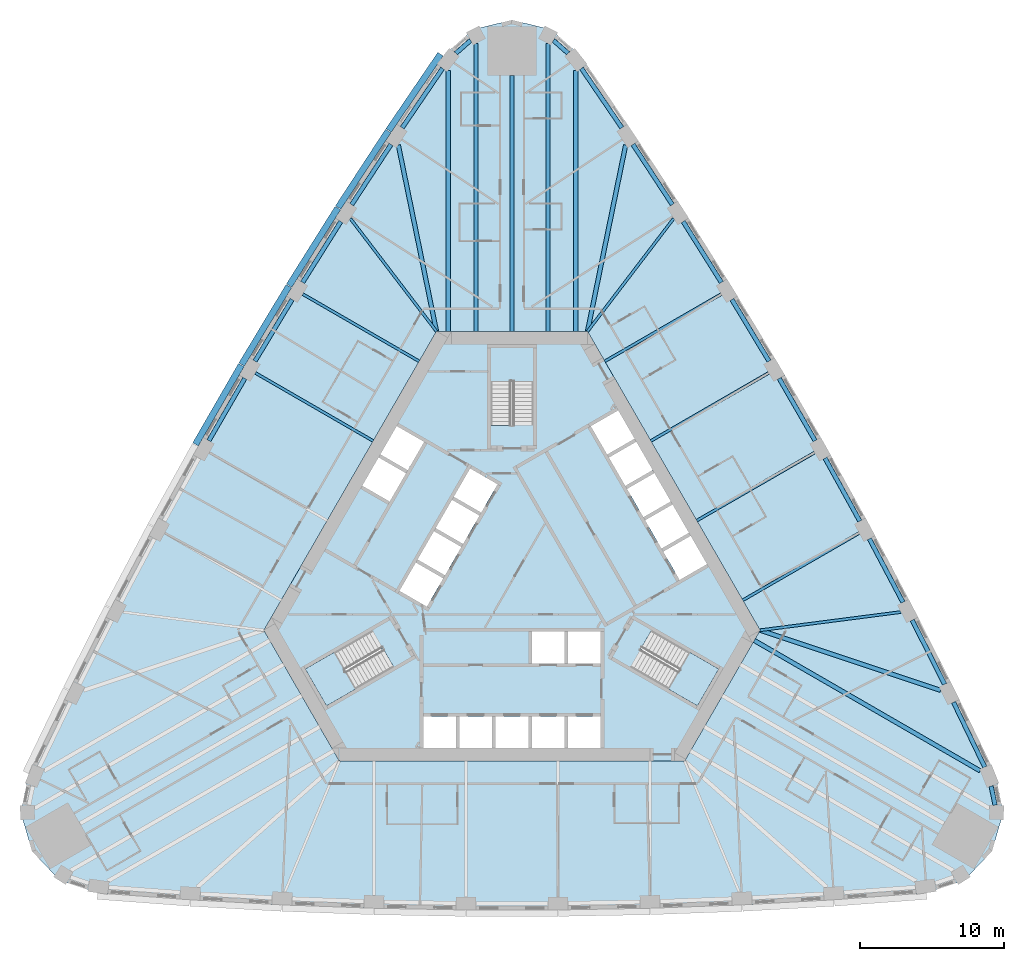
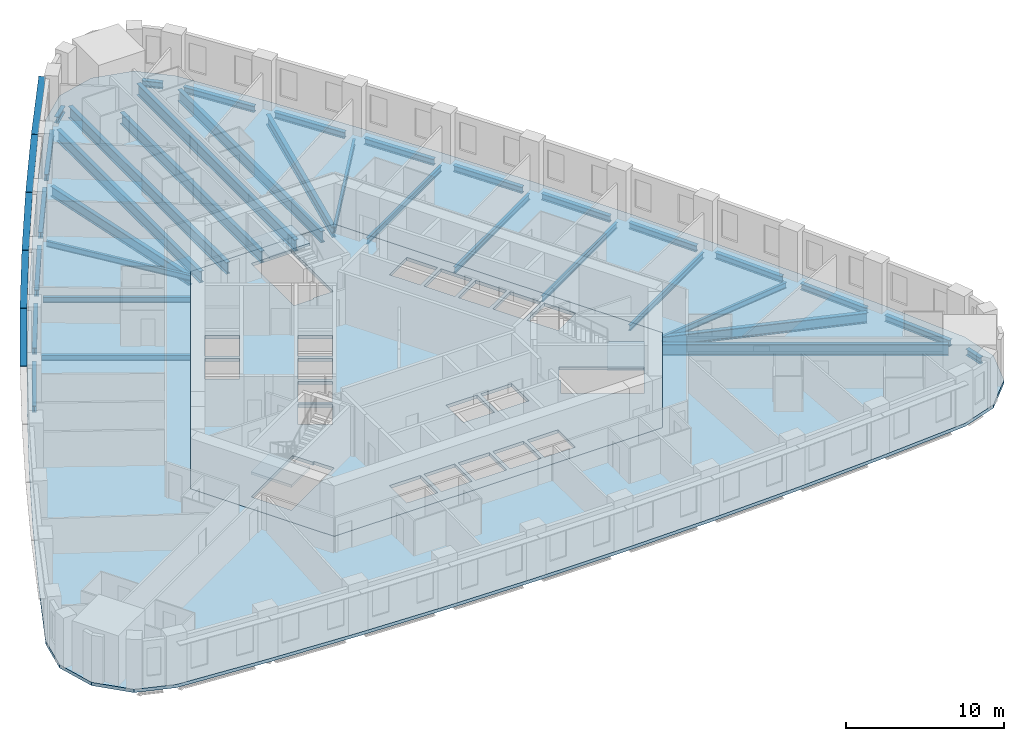
# One storey, part 2 of 13: 35 beams, 5 members, 5 slabs, 3 elements without a shape of their own.
"""IFC4 building model written with IfcOpenShell, lengths in metres."""

from ifc_helpers import new_model, si_unit, direction, frame, origin, origin_2d, place, context, subcontext, project, spatial, polyline, rectangle, i_section, outline, extrude, material, layer, layer_set, material_profile, profile_set, type_object, element, aggregate, save


model = new_model("IFC4")

# Units and contexts
model_context = context("Model", 3, precision=1e-05, world=origin(), true_north=direction((0.0, 1.0)))
body_context = subcontext(model_context, "Body", "Model", "MODEL_VIEW")
ifc_project = project(units=[si_unit("LENGTHUNIT", "METRE"), si_unit("AREAUNIT", "SQUARE_METRE"), si_unit("VOLUMEUNIT", "CUBIC_METRE"), si_unit("PLANEANGLEUNIT", "RADIAN"), si_unit("MASSUNIT", "GRAM", prefix="KILO")], contexts=[model_context])

# Site, building, storey
site_placement = place(None, origin())
site = spatial("IfcSite", under=ifc_project, at=site_placement, CompositionType="ELEMENT")
building_placement = place(site_placement, origin())
building = spatial("IfcBuilding", under=site, at=building_placement, Name="Mestral Congress Tower", CompositionType="ELEMENT")
storey_placement = place(building_placement, frame((0.0, 0.0, 62.699951171875)))
storey = spatial("IfcBuildingStorey", under=building, at=storey_placement, Name="L14", CompositionType="ELEMENT", Elevation=62.699951171875)

# Members
ifc_material_1 = material(Name="Glazed ceramic", Category="masonry")
ifc_material_profile_1 = material_profile(ifc_material_1, rectangle(XDim=0.449951171875, YDim=0.06005859375, at=origin_2d()), Name="Ceramic blade 450 x 60")
ifc_profile_set_1 = profile_set([ifc_material_profile_1], Name="Glazed ceramic")
member_type = type_object("IfcMemberType", Name="Facade sunshade blade 450 x 60", PredefinedType="USERDEFINED", material=ifc_profile_set_1)
member_1_placement = place(storey_placement, frame((-4.973388671875, 36.188232421875, 3.280029296875), z_axis=(-0.562633427576, -0.826706493367, 0.0), x_axis=(0.826706493367, -0.562633427576, 0.0)))
element("IfcMember", 1, at=member_1_placement, inside=storey, type_object=member_type, Name="Sunshade F2-00", ObjectType="SUNSHADE", PredefinedType="USERDEFINED", context=body_context, shape_type="SweptSolid", body=[
    extrude(rectangle(XDim=0.449951171875, YDim=0.06005859375, at=origin_2d()), origin(), (0.0, 0.0, 1.0), 6.4208984375),
])
member_2_placement = place(storey_placement, frame((-8.6103515625, 30.843505859375, 3.280029296875), z_axis=(-0.547211145376, -0.836994601163, 0.0), x_axis=(0.836994601163, -0.547211145376, 0.0)))
element("IfcMember", 2, at=member_2_placement, inside=storey, type_object=member_type, Name="Sunshade F2-01", ObjectType="SUNSHADE", PredefinedType="USERDEFINED", context=body_context, shape_type="SweptSolid", body=[
    extrude(rectangle(XDim=0.449951171875, YDim=0.06005859375, at=origin_2d()), origin(), (0.0, 0.0, 1.0), 6.368408203125),
])
for number, where, z_axis, x_axis, name in (
    (3, (-12.119140625, 25.47607421875, 3.280029296875), (-0.531665815747, -0.846954225662, 0.0), (0.846954225662, -0.531665815747, 0.0), "Sunshade F2-02"),
    (4, (-15.528076171875, 20.044921875, 3.280029296875), (-0.515904518528, -0.856646092481, 0.0), (0.856646092481, -0.515904518528, 0.0), "Sunshade F2-03"),
):
    element("IfcMember", number, at=place(storey_placement, frame(where, z_axis=z_axis, x_axis=x_axis)), inside=storey, type_object=member_type, Name=name, ObjectType="SUNSHADE", PredefinedType="USERDEFINED", context=body_context, shape_type="SweptSolid", body=[
        extrude(rectangle(XDim=0.449951171875, YDim=0.06005859375, at=origin_2d()), origin(), (0.0, 0.0, 1.0), 6.3681640625),
    ])
member_3_placement = place(storey_placement, frame((-18.8359375, 14.5517578125, 3.280029296875), z_axis=(-0.499990149842, -0.866031090701, 0.0), x_axis=(0.866031090701, -0.499990149842, 0.0)))
element("IfcMember", 5, at=member_3_placement, inside=storey, type_object=member_type, Name="Sunshade F2-04", ObjectType="SUNSHADE", PredefinedType="USERDEFINED", context=body_context, shape_type="SweptSolid", body=[
    extrude(rectangle(XDim=0.449951171875, YDim=0.06005859375, at=origin_2d()), origin(), (0.0, 0.0, 1.0), 6.368408203125),
])

# Beams
ifc_material_2 = material(Name="Steel S355", Category="steel")
ifc_material_profile_2 = material_profile(ifc_material_2, i_section(OverallWidth=0.300048828125, OverallDepth=0.800048828125, WebThickness=0.017578125, FlangeThickness=0.032958984375, FilletRadius=0.030029296875, at=origin_2d()), Name="HEB 800")
ifc_profile_set_2 = profile_set([ifc_material_profile_2], Name="Steel S355")
beam_type_1 = type_object("IfcBeamType", Name="Floor beam HEB 800 S355", PredefinedType="BEAM", material=ifc_profile_set_2)
for number, where, z_axis, x_axis, name in (
    (6, (29.8203125, -8.08349609375, -0.64990234375), (-0.948734931285, 0.316072824141, 0.0), (-0.316072824141, -0.948734931285, 0.0), "BM-L14-RB1-E01"),
    (7, (7.90966796875, 29.86669921875, -0.64990234375), (-0.200647311614, -0.979663542418, 0.0), (0.979663542418, -0.200647311614, 0.0), "BM-L14-RB1-E08"),
    (8, (-7.90966796875, 29.86669921875, -0.64990234375), (0.200647311614, -0.979663542418, 0.0), (0.979663542418, 0.200647311614, 0.0), "BM-L14-RB1-W01"),
):
    element("IfcBeam", number, at=place(storey_placement, frame(where, z_axis=z_axis, x_axis=x_axis)), inside=storey, type_object=beam_type_1, Name=name, PredefinedType="BEAM", context=body_context, shape_type="SweptSolid", body=[
        extrude(i_section(OverallWidth=0.300048828125, OverallDepth=0.800048828125, WebThickness=0.017578125, FlangeThickness=0.032958984375, FilletRadius=0.030029296875, at=origin_2d()), origin(), (0.0, 0.0, 1.0), 13.236083984375),
    ])
ifc_material_profile_3 = material_profile(ifc_material_2, i_section(OverallWidth=0.300048828125, OverallDepth=0.89990234375, WebThickness=0.0185546875, FlangeThickness=0.034912109375, FilletRadius=0.030029296875, at=origin_2d()), Name="HEB 900")
ifc_profile_set_3 = profile_set([ifc_material_profile_3], Name="Steel S355")
beam_type_2 = type_object("IfcBeamType", Name="Floor beam HEB 900 S355", PredefinedType="BEAM", material=ifc_profile_set_3)
beam_1_placement = place(storey_placement, frame((32.574462890625, -13.6845703125, -0.699951171875), z_axis=(-0.866029704776, 0.49999255039, 0.0), x_axis=(-0.49999255039, -0.866029704776, 0.0)))
element("IfcBeam", 9, at=beam_1_placement, inside=storey, type_object=beam_type_2, Name="BM-L14-RB1-E00", PredefinedType="BEAM", context=body_context, shape_type="SweptSolid", body=[
    extrude(i_section(OverallWidth=0.300048828125, OverallDepth=0.89990234375, WebThickness=0.0185546875, FlangeThickness=0.034912109375, FilletRadius=0.030029296875, at=origin_2d()), origin(), (0.0, 0.0, 1.0), 18.152587890625),
])
beam_2_placement = place(storey_placement, frame((4.43603515625, 35.052734375, -0.699951171875), z_axis=(0.0, -1.0, 0.0), x_axis=(1.0, 0.0, 0.0)))
element("IfcBeam", 10, at=beam_2_placement, inside=storey, type_object=beam_type_2, Name="BM-L14-RB1-E09", PredefinedType="BEAM", context=body_context, shape_type="SweptSolid", body=[
    extrude(i_section(OverallWidth=0.300048828125, OverallDepth=0.89990234375, WebThickness=0.0185546875, FlangeThickness=0.034912109375, FilletRadius=0.030029296875, at=origin_2d()), origin(), (0.0, 0.0, 1.0), 18.15283203125),
])
beam_3_placement = place(storey_placement, frame((2.503173828125, 36.91943359375, -0.699951171875), z_axis=(0.0, -1.0, 0.0), x_axis=(1.0, 0.0, 0.0)))
element("IfcBeam", 11, at=beam_3_placement, inside=storey, type_object=beam_type_2, Name="BM-L14-RB1-N1", PredefinedType="BEAM", context=body_context, shape_type="SweptSolid", body=[
    extrude(i_section(OverallWidth=0.300048828125, OverallDepth=0.89990234375, WebThickness=0.0185546875, FlangeThickness=0.034912109375, FilletRadius=0.030029296875, at=origin_2d()), origin(), (0.0, 0.0, 1.0), 20.01953125),
])
beam_4_placement = place(storey_placement, frame((0.0, 34.698974609375, -0.699951171875), z_axis=(0.0, -1.0, 0.0), x_axis=(1.0, 0.0, 0.0)))
element("IfcBeam", 12, at=beam_4_placement, inside=storey, type_object=beam_type_2, Name="BM-L14-RB1-N", PredefinedType="BEAM", context=body_context, shape_type="SweptSolid", body=[
    extrude(i_section(OverallWidth=0.300048828125, OverallDepth=0.89990234375, WebThickness=0.0185546875, FlangeThickness=0.034912109375, FilletRadius=0.030029296875, at=origin_2d()), origin(), (0.0, 0.0, 1.0), 17.799072265625),
])
beam_5_placement = place(storey_placement, frame((-2.503173828125, 36.91943359375, -0.699951171875), z_axis=(0.0, -1.0, 0.0), x_axis=(1.0, 0.0, 0.0)))
element("IfcBeam", 13, at=beam_5_placement, inside=storey, type_object=beam_type_2, Name="BM-L14-RB1-N3", PredefinedType="BEAM", context=body_context, shape_type="SweptSolid", body=[
    extrude(i_section(OverallWidth=0.300048828125, OverallDepth=0.89990234375, WebThickness=0.0185546875, FlangeThickness=0.034912109375, FilletRadius=0.030029296875, at=origin_2d()), origin(), (0.0, 0.0, 1.0), 20.01953125),
])
beam_6_placement = place(storey_placement, frame((-4.43603515625, 35.052734375, -0.699951171875), z_axis=(0.0, -1.0, 0.0), x_axis=(1.0, 0.0, 0.0)))
element("IfcBeam", 14, at=beam_6_placement, inside=storey, type_object=beam_type_2, Name="BM-L14-RB1-W00", PredefinedType="BEAM", context=body_context, shape_type="SweptSolid", body=[
    extrude(i_section(OverallWidth=0.300048828125, OverallDepth=0.89990234375, WebThickness=0.0185546875, FlangeThickness=0.034912109375, FilletRadius=0.030029296875, at=origin_2d()), origin(), (0.0, 0.0, 1.0), 18.15283203125),
])
ifc_material_profile_4 = material_profile(ifc_material_2, i_section(OverallWidth=0.18994140625, OverallDepth=0.449951171875, WebThickness=0.009521484375, FlangeThickness=0.0146484375, FilletRadius=0.02099609375, at=origin_2d()), Name="IPE 450")
ifc_profile_set_4 = profile_set([ifc_material_profile_4], Name="Steel S355")
beam_type_3 = type_object("IfcBeamType", Name="Floor beam IPE 450 S355", PredefinedType="BEAM", material=ifc_profile_set_4)
beam_7_placement = place(storey_placement, frame((27.058349609375, -2.6337890625, -0.474853515625), z_axis=(-0.99175011495, -0.128186229747, 0.0), x_axis=(0.128186229747, -0.99175011495, 0.0)))
element("IfcBeam", 15, at=beam_7_placement, inside=storey, type_object=beam_type_3, Name="BM-L14-RB1-E02", PredefinedType="BEAM", context=body_context, shape_type="SweptSolid", body=[
    extrude(i_section(OverallWidth=0.18994140625, OverallDepth=0.449951171875, WebThickness=0.009521484375, FlangeThickness=0.0146484375, FilletRadius=0.02099609375, at=origin_2d()), origin(), (0.0, 0.0, 1.0), 9.877197265625),
])
beam_8_placement = place(storey_placement, frame((24.150634765625, 2.859619140625, -0.474853515625), z_axis=(-0.866032011123, -0.499988555579, 0.0), x_axis=(0.499988555579, -0.866032011123, 0.0)))
element("IfcBeam", 16, at=beam_8_placement, inside=storey, type_object=beam_type_3, Name="BM-L14-RB1-E03", PredefinedType="BEAM", context=body_context, shape_type="SweptSolid", body=[
    extrude(i_section(OverallWidth=0.18994140625, OverallDepth=0.449951171875, WebThickness=0.009521484375, FlangeThickness=0.0146484375, FilletRadius=0.02099609375, at=origin_2d()), origin(), (0.0, 0.0, 1.0), 9.344970703125),
])
for number, where, z_axis, x_axis, name in (
    (17, (21.0537109375, 8.46044921875, -0.474853515625), (-0.866019749231, -0.500009793847, 0.0), (0.500009793847, -0.866019749231, 0.0), "BM-L14-RB1-E04"),
    (18, (17.853759765625, 14.0029296875, -0.474853515625), (-0.866019749231, -0.500009793847, 0.0), (0.500009793847, -0.866019749231, 0.0), "BM-L14-RB1-E05"),
):
    element("IfcBeam", number, at=place(storey_placement, frame(where, z_axis=z_axis, x_axis=x_axis)), inside=storey, type_object=beam_type_3, Name=name, PredefinedType="BEAM", context=body_context, shape_type="SweptSolid", body=[
        extrude(i_section(OverallWidth=0.18994140625, OverallDepth=0.449951171875, WebThickness=0.009521484375, FlangeThickness=0.0146484375, FilletRadius=0.02099609375, at=origin_2d()), origin(), (0.0, 0.0, 1.0), 9.463134765625),
    ])
beam_9_placement = place(storey_placement, frame((14.5517578125, 19.485107421875, -0.474853515625), z_axis=(-0.866025479842, -0.499999868264, 0.0), x_axis=(0.499999868264, -0.866025479842, 0.0)))
element("IfcBeam", 19, at=beam_9_placement, inside=storey, type_object=beam_type_3, Name="BM-L14-RB1-E06", PredefinedType="BEAM", context=body_context, shape_type="SweptSolid", body=[
    extrude(i_section(OverallWidth=0.18994140625, OverallDepth=0.449951171875, WebThickness=0.009521484375, FlangeThickness=0.0146484375, FilletRadius=0.02099609375, at=origin_2d()), origin(), (0.0, 0.0, 1.0), 9.3447265625),
])
for number, where, z_axis, x_axis, name in (
    (20, (11.248291015625, 24.75, -0.474853515625), (-0.606898557801, -0.794779303039, 0.0), (0.794779303039, -0.606898557801, 0.0), "BM-L14-RB1-E07"),
    (21, (-11.248291015625, 24.75, -0.474853515625), (0.606898557801, -0.794779303039, 0.0), (0.794779303039, 0.606898557801, 0.0), "BM-L14-RB1-W02"),
):
    element("IfcBeam", number, at=place(storey_placement, frame(where, z_axis=z_axis, x_axis=x_axis)), inside=storey, type_object=beam_type_3, Name=name, PredefinedType="BEAM", context=body_context, shape_type="SweptSolid", body=[
        extrude(i_section(OverallWidth=0.18994140625, OverallDepth=0.449951171875, WebThickness=0.009521484375, FlangeThickness=0.0146484375, FilletRadius=0.02099609375, at=origin_2d()), origin(), (0.0, 0.0, 1.0), 9.877197265625),
    ])
beam_10_placement = place(storey_placement, frame((-14.5517578125, 19.485107421875, -0.474853515625), z_axis=(0.866025479842, -0.499999868264, 0.0), x_axis=(0.499999868264, 0.866025479842, 0.0)))
element("IfcBeam", 22, at=beam_10_placement, inside=storey, type_object=beam_type_3, Name="BM-L14-RB1-W03", PredefinedType="BEAM", context=body_context, shape_type="SweptSolid", body=[
    extrude(i_section(OverallWidth=0.18994140625, OverallDepth=0.449951171875, WebThickness=0.009521484375, FlangeThickness=0.0146484375, FilletRadius=0.02099609375, at=origin_2d()), origin(), (0.0, 0.0, 1.0), 9.3447265625),
])
beam_11_placement = place(storey_placement, frame((-17.853759765625, 14.0029296875, -0.474853515625), z_axis=(0.866019749231, -0.500009793847, 0.0), x_axis=(0.500009793847, 0.866019749231, 0.0)))
element("IfcBeam", 23, at=beam_11_placement, inside=storey, type_object=beam_type_3, Name="BM-L14-RB1-W04", PredefinedType="BEAM", context=body_context, shape_type="SweptSolid", body=[
    extrude(i_section(OverallWidth=0.18994140625, OverallDepth=0.449951171875, WebThickness=0.009521484375, FlangeThickness=0.0146484375, FilletRadius=0.02099609375, at=origin_2d()), origin(), (0.0, 0.0, 1.0), 9.463134765625),
])
ifc_material_profile_5 = material_profile(ifc_material_2, i_section(OverallWidth=0.300048828125, OverallDepth=0.489990234375, WebThickness=0.011962890625, FlangeThickness=0.02294921875, FilletRadius=0.027099609375, at=origin_2d()), Name="HEA 500")
ifc_profile_set_5 = profile_set([ifc_material_profile_5], Name="Steel S355")
beam_type_4 = type_object("IfcBeamType", Name="Spandrel beam HEA 500 S355", PredefinedType="BEAM", material=ifc_profile_set_5)
beam_12_placement = place(storey_placement, frame((33.611328125, -16.0693359375, -0.494873046875), z_axis=(-0.197991750859, 0.980203686277, 0.0), x_axis=(-0.980203686277, -0.197991750859, 0.0)))
element("IfcBeam", 24, at=beam_12_placement, inside=storey, type_object=beam_type_4, Name="SP-L14-SB1-SE3", PredefinedType="BEAM", context=body_context, shape_type="SweptSolid", body=[
    extrude(i_section(OverallWidth=0.300048828125, OverallDepth=0.489990234375, WebThickness=0.011962890625, FlangeThickness=0.02294921875, FilletRadius=0.027099609375, at=origin_2d()), origin(), (0.0, 0.0, 1.0), 1.3515625),
])
beam_13_placement = place(storey_placement, frame((32.897705078125, -13.415283203125, -0.494873046875), z_axis=(-0.434645244295, 0.900601749727, 0.0), x_axis=(-0.900601749727, -0.434645244295, 0.0)))
element("IfcBeam", 25, at=beam_13_placement, inside=storey, type_object=beam_type_4, Name="SP-L14-SB1-E00", PredefinedType="BEAM", context=body_context, shape_type="SweptSolid", body=[
    extrude(i_section(OverallWidth=0.300048828125, OverallDepth=0.489990234375, WebThickness=0.011962890625, FlangeThickness=0.02294921875, FilletRadius=0.027099609375, at=origin_2d()), origin(), (0.0, 0.0, 1.0), 4.998046875),
])
beam_14_placement = place(storey_placement, frame((30.105224609375, -7.658935546875, -0.494873046875), z_axis=(-0.45123261425, 0.892406369227, 0.0), x_axis=(-0.892406369227, -0.45123261425, 0.0)))
element("IfcBeam", 26, at=beam_14_placement, inside=storey, type_object=beam_type_4, Name="SP-L14-SB1-E01", PredefinedType="BEAM", context=body_context, shape_type="SweptSolid", body=[
    extrude(i_section(OverallWidth=0.300048828125, OverallDepth=0.489990234375, WebThickness=0.011962890625, FlangeThickness=0.02294921875, FilletRadius=0.027099609375, at=origin_2d()), origin(), (0.0, 0.0, 1.0), 4.999755859375),
])
beam_15_placement = place(storey_placement, frame((27.2060546875, -1.95361328125, -0.494873046875), z_axis=(-0.467681307417, 0.883897162962, 0.0), x_axis=(-0.883897162962, -0.467681307417, 0.0)))
element("IfcBeam", 27, at=beam_15_placement, inside=storey, type_object=beam_type_4, Name="SP-L14-SB1-E02", PredefinedType="BEAM", context=body_context, shape_type="SweptSolid", body=[
    extrude(i_section(OverallWidth=0.300048828125, OverallDepth=0.489990234375, WebThickness=0.011962890625, FlangeThickness=0.02294921875, FilletRadius=0.027099609375, at=origin_2d()), origin(), (0.0, 0.0, 1.0), 5.0),
])
for number, where, z_axis, x_axis, name in (
    (28, (24.20166015625, 3.697265625, -0.494873046875), (-0.483900688062, 0.875122919419, 0.0), (-0.875122919419, -0.483900688062, 0.0), "SP-L14-SB1-E03"),
    (29, (21.093505859375, 9.291748046875, -0.494873046875), (-0.50002537861, 0.866010750942, 0.0), (-0.866010750942, -0.50002537861, 0.0), "SP-L14-SB1-E04"),
    (30, (17.88232421875, 14.82763671875, -0.494873046875), (-0.515938385622, 0.85662569553, 0.0), (-0.85662569553, -0.515938385622, 0.0), "SP-L14-SB1-E05"),
    (31, (14.5693359375, 20.302978515625, -0.494873046875), (-0.531661433361, 0.846956976639, 0.0), (-0.846956976639, -0.531661433361, 0.0), "SP-L14-SB1-E06"),
):
    element("IfcBeam", number, at=place(storey_placement, frame(where, z_axis=z_axis, x_axis=x_axis)), inside=storey, type_object=beam_type_4, Name=name, PredefinedType="BEAM", context=body_context, shape_type="SweptSolid", body=[
        extrude(i_section(OverallWidth=0.300048828125, OverallDepth=0.489990234375, WebThickness=0.011962890625, FlangeThickness=0.02294921875, FilletRadius=0.027099609375, at=origin_2d()), origin(), (0.0, 0.0, 1.0), 4.999755859375),
    ])
beam_16_placement = place(storey_placement, frame((11.156005859375, 25.716552734375, -0.494873046875), z_axis=(-0.547263834194, 0.836960151849, 0.0), x_axis=(-0.836960151849, -0.547263834194, 0.0)))
element("IfcBeam", 32, at=beam_16_placement, inside=storey, type_object=beam_type_4, Name="SP-L14-SB1-E07", PredefinedType="BEAM", context=body_context, shape_type="SweptSolid", body=[
    extrude(i_section(OverallWidth=0.300048828125, OverallDepth=0.489990234375, WebThickness=0.011962890625, FlangeThickness=0.02294921875, FilletRadius=0.027099609375, at=origin_2d()), origin(), (0.0, 0.0, 1.0), 5.0),
])
beam_17_placement = place(storey_placement, frame((7.642822265625, 31.06591796875, -0.494873046875), z_axis=(-0.562610596841, 0.826722030868, 0.0), x_axis=(-0.826722030868, -0.562610596841, 0.0)))
element("IfcBeam", 33, at=beam_17_placement, inside=storey, type_object=beam_type_4, Name="SP-L14-SB1-E08", PredefinedType="BEAM", context=body_context, shape_type="SweptSolid", body=[
    extrude(i_section(OverallWidth=0.300048828125, OverallDepth=0.489990234375, WebThickness=0.011962890625, FlangeThickness=0.02294921875, FilletRadius=0.027099609375, at=origin_2d()), origin(), (0.0, 0.0, 1.0), 4.998046875),
])
for number, where, z_axis, x_axis, name in (
    (34, (3.902587890625, 36.248779296875, -0.494873046875), (-0.749806226219, 0.661657481725, 0.0), (-0.661657481725, -0.749806226219, 0.0), "SP-L14-SB1-E09"),
    (35, (-2.88916015625, 37.14306640625, -0.494873046875), (-0.749806226219, -0.661657481725, 0.0), (0.661657481725, -0.749806226219, 0.0), "SP-L14-SB1-N3"),
):
    element("IfcBeam", number, at=place(storey_placement, frame(where, z_axis=z_axis, x_axis=x_axis)), inside=storey, type_object=beam_type_4, Name=name, PredefinedType="BEAM", context=body_context, shape_type="SweptSolid", body=[
        extrude(i_section(OverallWidth=0.300048828125, OverallDepth=0.489990234375, WebThickness=0.011962890625, FlangeThickness=0.02294921875, FilletRadius=0.027099609375, at=origin_2d()), origin(), (0.0, 0.0, 1.0), 1.3515625),
    ])
beam_18_placement = place(storey_placement, frame((-4.830810546875, 35.197998046875, -0.494873046875), z_axis=(-0.562610596841, -0.826722030868, 0.0), x_axis=(0.826722030868, -0.562610596841, 0.0)))
element("IfcBeam", 36, at=beam_18_placement, inside=storey, type_object=beam_type_4, Name="SP-L14-SB1-W00", PredefinedType="BEAM", context=body_context, shape_type="SweptSolid", body=[
    extrude(i_section(OverallWidth=0.300048828125, OverallDepth=0.489990234375, WebThickness=0.011962890625, FlangeThickness=0.02294921875, FilletRadius=0.027099609375, at=origin_2d()), origin(), (0.0, 0.0, 1.0), 4.998046875),
])
beam_19_placement = place(storey_placement, frame((-8.419677734375, 29.9013671875, -0.494873046875), z_axis=(-0.547263834194, -0.836960151849, 0.0), x_axis=(0.836960151849, -0.547263834194, 0.0)))
element("IfcBeam", 37, at=beam_19_placement, inside=storey, type_object=beam_type_4, Name="SP-L14-SB1-W01", PredefinedType="BEAM", context=body_context, shape_type="SweptSolid", body=[
    extrude(i_section(OverallWidth=0.300048828125, OverallDepth=0.489990234375, WebThickness=0.011962890625, FlangeThickness=0.02294921875, FilletRadius=0.027099609375, at=origin_2d()), origin(), (0.0, 0.0, 1.0), 5.0),
])
for number, where, z_axis, x_axis, name in (
    (38, (-11.9111328125, 24.53759765625, -0.494873046875), (-0.531661433361, -0.846956976639, 0.0), (0.846956976639, -0.531661433361, 0.0), "SP-L14-SB1-W02"),
    (39, (-15.302734375, 19.110595703125, -0.494873046875), (-0.515938385622, -0.85662569553, 0.0), (0.85662569553, -0.515938385622, 0.0), "SP-L14-SB1-W03"),
    (40, (-18.593505859375, 13.62158203125, -0.494873046875), (-0.50002537861, -0.866010750942, 0.0), (0.866010750942, -0.50002537861, 0.0), "SP-L14-SB1-W04"),
):
    element("IfcBeam", number, at=place(storey_placement, frame(where, z_axis=z_axis, x_axis=x_axis)), inside=storey, type_object=beam_type_4, Name=name, PredefinedType="BEAM", context=body_context, shape_type="SweptSolid", body=[
        extrude(i_section(OverallWidth=0.300048828125, OverallDepth=0.489990234375, WebThickness=0.011962890625, FlangeThickness=0.02294921875, FilletRadius=0.027099609375, at=origin_2d()), origin(), (0.0, 0.0, 1.0), 4.999755859375),
    ])

# Slabs
ifc_material_3 = material(Name="Concrete C35/45", Category="concrete")
ifc_layer_1 = layer(ifc_material_3, 0.25)
ifc_layer_set_1 = layer_set([ifc_layer_1], Name="Concrete C35/45")
slab_type_1 = type_object("IfcSlabType", Name="Composite floor slab 250", PredefinedType="FLOOR", material=ifc_layer_set_1)
placement_1 = place(storey_placement, frame((0.0, 0.0, -0.25)))
element("IfcSlab", 41, at=placement_1, inside=storey, type_object=slab_type_1, Name="SL-L14", PredefinedType="FLOOR", context=body_context, shape_type="SweptSolid", body=[
    extrude(outline(polyline([(-28.8564453125, -22.17529296875), (-31.45849609375, -21.301025390625), (-33.39599609375, -19.28125), (-34.176513671875, -16.59326171875), (-33.6328125, -13.90283203125), (-30.824462890625, -8.084228515625), (-27.93310546875, -2.365478515625), (-24.936279296875, 3.298828125), (-21.835205078125, 8.90673828125), (-18.631103515625, 14.45654296875), (-15.324951171875, 19.946044921875), (-11.91796875, 25.373291015625), (-8.4111328125, 30.737060546875), (-4.776123046875, 36.078125), (-2.718017578125, 37.894287109375), (0.0, 38.562255859375), (2.718017578125, 37.894287109375), (4.776123046875, 36.078125), (8.4111328125, 30.737060546875), (11.91796875, 25.373291015625), (15.324951171875, 19.946044921875), (18.631103515625, 14.45654296875), (21.835205078125, 8.90673828125), (24.936279296875, 3.298828125), (27.93310546875, -2.365478515625), (30.824462890625, -8.084228515625), (33.6328125, -13.90283203125), (34.176513671875, -16.59326171875), (33.39599609375, -19.28125), (31.45849609375, -21.301025390625), (28.8564453125, -22.17529296875), (22.41357421875, -22.652587890625), (16.01513671875, -23.0078125), (9.611083984375, -23.244873046875), (3.2041015625, -23.36328125), (-3.2041015625, -23.36328125), (-9.611083984375, -23.244873046875), (-16.01513671875, -23.0078125), (-22.41357421875, -22.652587890625), (-28.8564453125, -22.17529296875)]), holes=[polyline([(-5.25390625, 16.89990234375), (-17.2626953125, -3.89990234375), (-12.0087890625, -13.0), (12.0087890625, -13.0), (17.2626953125, -3.89990234375), (5.25390625, 16.89990234375), (-5.25390625, 16.89990234375)])]), origin(), (0.0, 0.0, 1.0), 0.25),
])
ifc_material_4 = material(Name="Concrete C60/75", Category="concrete")
ifc_layer_2 = layer(ifc_material_4, 0.25)
ifc_layer_set_2 = layer_set([ifc_layer_2], Name="Concrete C60/75")
slab_type_2 = type_object("IfcSlabType", Name="Core floor slab RC 250", PredefinedType="FLOOR", material=ifc_layer_set_2)
element("IfcSlab", 42, at=placement_1, inside=storey, type_object=slab_type_2, Name="L14 core floor", PredefinedType="FLOOR", context=body_context, shape_type="SweptSolid", body=[
    extrude(outline(polyline([(12.0087890625, -13.0), (-12.0087890625, -13.0), (-17.2626953125, -3.89990234375), (-5.25390625, 16.89990234375), (5.25390625, 16.89990234375), (17.2626953125, -3.89990234375), (12.0087890625, -13.0)]), holes=[polyline([(-3.905029296875, -9.89990234375), (-6.175048828125, -9.89990234375), (-6.175048828125, -12.10009765625), (-3.905029296875, -12.10009765625), (-3.905029296875, -9.89990234375)]), polyline([(-1.385009765625, -9.89990234375), (-3.655029296875, -9.89990234375), (-3.655029296875, -12.10009765625), (-1.385009765625, -12.10009765625), (-1.385009765625, -9.89990234375)]), polyline([(1.135009765625, -9.89990234375), (-1.135009765625, -9.89990234375), (-1.135009765625, -12.10009765625), (1.135009765625, -12.10009765625), (1.135009765625, -9.89990234375)]), polyline([(-9.0673828125, -5.235107421875), (-9.8046875, -3.95751953125), (-14.37744140625, -6.59765625), (-12.90234375, -9.15234375), (-8.234619140625, -6.45751953125), (-8.971923828125, -5.179931640625), (-9.0673828125, -5.235107421875)]), polyline([(-7.826904296875, -1.156494140625), (-5.921630859375, -2.256591796875), (-4.78662109375, -0.29052734375), (-6.69189453125, 0.809326171875), (-7.826904296875, -1.156494140625)]), polyline([(-4.66162109375, -0.07421875), (-3.526611328125, 1.8916015625), (-5.431884765625, 2.99169921875), (-6.56689453125, 1.02587890625), (-4.66162109375, -0.07421875)]), polyline([(-3.401611328125, 2.1083984375), (-2.2666015625, 4.07421875), (-4.171875, 5.174072265625), (-5.306884765625, 3.208251953125), (-3.401611328125, 2.1083984375)]), polyline([(-2.1416015625, 4.29052734375), (-1.006591796875, 6.256591796875), (-2.911865234375, 7.3564453125), (-4.046875, 5.390625), (-2.1416015625, 4.29052734375)]), polyline([(-10.41650390625, 6.158203125), (-8.51123046875, 5.058349609375), (-7.376220703125, 7.024169921875), (-9.281494140625, 8.1240234375), (-10.41650390625, 6.158203125)]), polyline([(-9.156494140625, 8.340576171875), (-7.251220703125, 7.240478515625), (-6.1162109375, 9.20654296875), (-8.021484375, 10.306396484375), (-9.156494140625, 8.340576171875)]), polyline([(1.47509765625, 10.469970703125), (1.47509765625, 15.75), (-1.47509765625, 15.75), (-1.47509765625, 10.360107421875), (0.0, 10.360107421875), (0.0, 10.469970703125), (1.47509765625, 10.469970703125)]), polyline([(3.655029296875, -9.89990234375), (1.385009765625, -9.89990234375), (1.385009765625, -12.10009765625), (3.655029296875, -12.10009765625), (3.655029296875, -9.89990234375)]), polyline([(6.175048828125, -9.89990234375), (3.905029296875, -9.89990234375), (3.905029296875, -12.10009765625), (6.175048828125, -12.10009765625), (6.175048828125, -9.89990234375)]), polyline([(9.0673828125, -5.235107421875), (8.329833984375, -6.512451171875), (12.90234375, -9.15234375), (14.37744140625, -6.59765625), (9.70947265625, -3.902587890625), (8.971923828125, -5.179931640625), (9.0673828125, -5.235107421875)]), polyline([(3.655029296875, -6.199951171875), (3.655029296875, -4.0), (1.385009765625, -4.0), (1.385009765625, -6.199951171875), (3.655029296875, -6.199951171875)]), polyline([(6.175048828125, -4.0), (3.905029296875, -4.0), (3.905029296875, -6.199951171875), (6.175048828125, -6.199951171875), (6.175048828125, -4.0)]), polyline([(12.431396484375, 2.668212890625), (10.526123046875, 1.568115234375), (11.6611328125, -0.397705078125), (13.56640625, 0.702392578125), (12.431396484375, 2.668212890625)]), polyline([(11.17138671875, 4.8505859375), (9.26611328125, 3.75048828125), (10.401123046875, 1.78466796875), (12.306396484375, 2.884765625), (11.17138671875, 4.8505859375)]), polyline([(8.006103515625, 5.932861328125), (9.14111328125, 3.967041015625), (11.04638671875, 5.067138671875), (9.911376953125, 7.032958984375), (8.006103515625, 5.932861328125)]), polyline([(8.6513671875, 9.21533203125), (6.74609375, 8.115234375), (7.881103515625, 6.1494140625), (9.786376953125, 7.24951171875), (8.6513671875, 9.21533203125)]), polyline([(7.391357421875, 11.397705078125), (5.486083984375, 10.297607421875), (6.62109375, 8.331787109375), (8.5263671875, 9.431884765625), (7.391357421875, 11.397705078125)])]), origin(), (0.0, 0.0, 1.0), 0.25),
])

# Stair, slab
stair_type = type_object("IfcStairType", Name="Exit stair 1400", PredefinedType="HALF_TURN_STAIR", material=ifc_material_4)
placement_2 = place(storey_placement, origin())
stair_1 = element("IfcStair", 43, at=placement_2, inside=storey, type_object=stair_type, Name="L14 ST1", PredefinedType="HALF_TURN_STAIR")
ifc_layer_3 = layer(ifc_material_4, 0.199951171875)
ifc_layer_set_3 = layer_set([ifc_layer_3], Name="Concrete C60/75")
slab_type_3 = type_object("IfcSlabType", Name="Exit stair landing 200", PredefinedType="LANDING", material=ifc_layer_set_3)
placement_3 = place(storey_placement, frame((0.0, 0.0, 1.75)))
slab_3 = element("IfcSlab", 44, at=placement_3, type_object=slab_type_3, Name="ST1 landing 1", PredefinedType="LANDING", context=body_context, shape_type="SweptSolid", body=[
    extrude(outline(polyline([(10.879638671875, -7.99609375), (12.364501953125, -5.424072265625), (14.39111328125, -6.593994140625), (12.906005859375, -9.166015625), (10.879638671875, -7.99609375)])), origin(), (0.0, 0.0, 1.0), 0.199951171875),
])
aggregate(stair_1, [slab_3])

stair_2 = element("IfcStair", 45, at=placement_2, inside=storey, type_object=stair_type, Name="L14 ST2", PredefinedType="HALF_TURN_STAIR")
slab_4 = element("IfcSlab", 46, at=placement_3, type_object=slab_type_3, Name="ST2 landing 1", PredefinedType="LANDING", context=body_context, shape_type="SweptSolid", body=[
    extrude(outline(polyline([(1.485107421875, 13.419921875), (-1.485107421875, 13.419921875), (-1.485107421875, 15.760009765625), (1.485107421875, 15.760009765625), (1.485107421875, 13.419921875)])), origin(), (0.0, 0.0, 1.0), 0.199951171875),
])
aggregate(stair_2, [slab_4])

stair_3 = element("IfcStair", 47, at=placement_2, inside=storey, type_object=stair_type, Name="L14 ST3", PredefinedType="HALF_TURN_STAIR")
slab_5 = element("IfcSlab", 48, at=placement_3, type_object=slab_type_3, Name="ST3 landing 1", PredefinedType="LANDING", context=body_context, shape_type="SweptSolid", body=[
    extrude(outline(polyline([(-12.364501953125, -5.424072265625), (-10.879638671875, -7.99609375), (-12.906005859375, -9.166015625), (-14.39111328125, -6.593994140625), (-12.364501953125, -5.424072265625)])), origin(), (0.0, 0.0, 1.0), 0.199951171875),
])
aggregate(stair_3, [slab_5])

save(model, "model.ifc")
